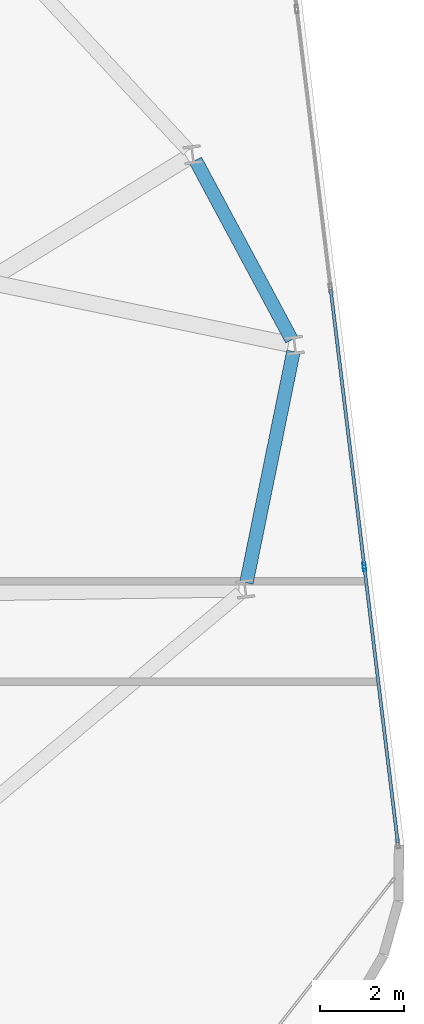
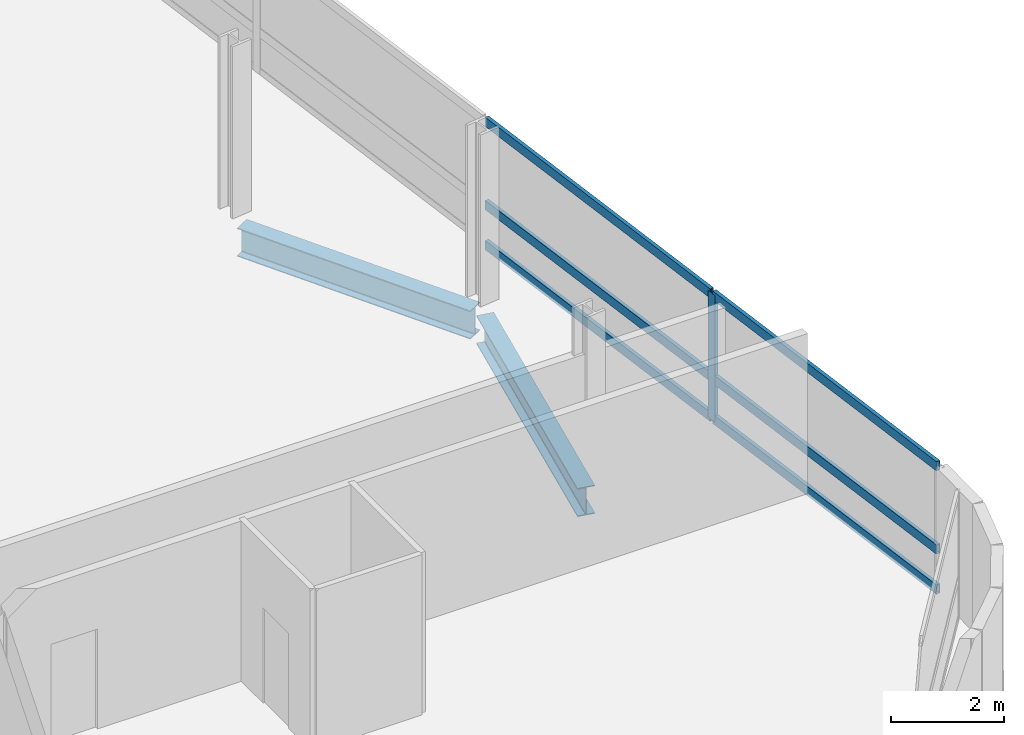
# One storey, part 11 of 24: 7 members, 2 beams, 1 element without a shape of its own.
"""IFC4 building model written with IfcOpenShell, lengths in metres."""

from ifc_helpers import new_model, si_unit, direction, frame, origin, origin_2d, place, context, subcontext, project, spatial, hollow_rectangle, i_section, extrude, material, layer, layer_set, material_profile, profile_set, type_object, element, aggregate, save


model = new_model("IFC4")

# Units and contexts
model_context = context("Model", 3, precision=1e-05, world=origin(), true_north=direction((0.0, 1.0)))
body_context = subcontext(model_context, "Body", "Model", "MODEL_VIEW")
ifc_project = project(units=[si_unit("LENGTHUNIT", "METRE"), si_unit("AREAUNIT", "SQUARE_METRE"), si_unit("VOLUMEUNIT", "CUBIC_METRE"), si_unit("PLANEANGLEUNIT", "RADIAN"), si_unit("MASSUNIT", "GRAM", prefix="KILO")], contexts=[model_context])

# Site, building, storey
site_placement = place(None, origin())
site = spatial("IfcSite", under=ifc_project, at=site_placement, CompositionType="ELEMENT")
building_placement = place(site_placement, origin())
building = spatial("IfcBuilding", under=site, at=building_placement, Name="Varnelok Gate Tower", CompositionType="ELEMENT")
storey_placement = place(building_placement, frame((0.0, 0.0, 167.199951171875)))
storey = spatial("IfcBuildingStorey", under=building, at=storey_placement, Name="L42", CompositionType="ELEMENT", Elevation=167.199951171875)

# Beams
ifc_material_1 = material(Name="Structural Steel ASTM A992 Grade 50", Category="steel")
ifc_material_profile_1 = material_profile(ifc_material_1, i_section(OverallWidth=0.323974609375, OverallDepth=0.611083984375, WebThickness=0.0126953125, FlangeThickness=0.01904296875, FilletRadius=0.01806640625, at=origin_2d()), Name="W24X104")
ifc_profile_set_1 = profile_set([ifc_material_profile_1], Name="Structural Steel ASTM A992 Grade 50")
beam_type = type_object("IfcBeamType", Name="BM-SPN-W24X104", PredefinedType="SPANDREL", material=ifc_profile_set_1)
beam_1_placement = place(storey_placement, frame((72.5068359375, 19.206298828125, -0.555419921875), z_axis=(0.19911018886, 0.979977108249, 0.0), x_axis=(-0.979977108249, 0.19911018886, 0.0)))
element("IfcBeam", 1, at=beam_1_placement, inside=storey, type_object=beam_type, Name="L42 Perimeter Spandrel Beam 6", PredefinedType="SPANDREL", context=body_context, shape_type="SweptSolid", body=[
    extrude(i_section(OverallWidth=0.323974609375, OverallDepth=0.611083984375, WebThickness=0.0126953125, FlangeThickness=0.01904296875, FilletRadius=0.01806640625, at=origin_2d()), origin(), (0.0, 0.0, 1.0), 5.612060546875),
])
beam_2_placement = place(storey_placement, frame((73.583251953125, 24.9853515625, -0.555419921875), z_axis=(-0.472471917257, 0.881345725242, 0.0), x_axis=(-0.881345725242, -0.472471917257, 0.0)))
element("IfcBeam", 2, at=beam_2_placement, inside=storey, type_object=beam_type, Name="L42 Perimeter Spandrel Beam 7", PredefinedType="SPANDREL", context=body_context, shape_type="SweptSolid", body=[
    extrude(i_section(OverallWidth=0.323974609375, OverallDepth=0.611083984375, WebThickness=0.0126953125, FlangeThickness=0.01904296875, FilletRadius=0.01806640625, at=origin_2d()), origin(), (0.0, 0.0, 1.0), 4.8408203125),
])

# Curtain wall, members
ifc_material_2 = material(Name="Anodized Aluminum Alloy 6063-T6", Category="aluminium")
ifc_layer = layer(ifc_material_2, 0.179931640625)
ifc_layer_set = layer_set([ifc_layer], Name="Anodized Aluminum Alloy 6063-T6")
curtain_wall_type = type_object("IfcCurtainWallType", Name="CW4-RESIDENCE-VISION", PredefinedType="USERDEFINED", material=ifc_layer_set)
curtain_wall_placement = place(storey_placement, origin())
curtain_wall = element("IfcCurtainWall", 3, at=curtain_wall_placement, inside=storey, type_object=curtain_wall_type, Name="L42 East End Vision Curtain Wall", ObjectType="UNITISED CURTAIN WALL", PredefinedType="USERDEFINED")
ifc_material_profile_2 = material_profile(ifc_material_2, hollow_rectangle(XDim=0.074951171875, YDim=0.199951171875, WallThickness=0.00390625, at=origin_2d()), Name="ALU200X75X4")
ifc_profile_set_2 = profile_set([ifc_material_profile_2], Name="Anodized Aluminum Alloy 6063-T6")
member_type_1 = type_object("IfcMemberType", Name="CW-MULL-200", PredefinedType="MULLION", material=ifc_profile_set_2)
member_1_placement = place(storey_placement, frame((75.310302734375, 19.584228515625, 0.0), z_axis=(0.0, 0.0, 1.0), x_axis=(0.992732188751, 0.120344511371, 0.0)))
member_1 = element("IfcMember", 4, at=member_1_placement, type_object=member_type_1, Name="CW4 mullion 5", PredefinedType="MULLION", context=body_context, shape_type="SweptSolid", body=[
    extrude(hollow_rectangle(XDim=0.074951171875, YDim=0.199951171875, WallThickness=0.00390625, at=origin_2d()), origin(), (0.0, 0.0, 1.0), 2.72998046875),
])
ifc_material_profile_3 = material_profile(ifc_material_2, hollow_rectangle(XDim=0.074951171875, YDim=0.199951171875, WallThickness=0.00390625, at=origin_2d()), Name="ALU200X75X4")
ifc_profile_set_3 = profile_set([ifc_material_profile_3], Name="Anodized Aluminum Alloy 6063-T6")
member_type_2 = type_object("IfcMemberType", Name="CW-TRAN-200", PredefinedType="USERDEFINED", material=ifc_profile_set_3)
member_2_placement = place(storey_placement, frame((74.510986328125, 26.178466796875, 0.03759765625), z_axis=(0.120349029092, -0.992731641078, 0.0), x_axis=(0.992731641078, 0.120349029092, 0.0)))
member_2 = element("IfcMember", 5, at=member_2_placement, type_object=member_type_2, Name="CW4 transom 4.1", ObjectType="TRANSOM", PredefinedType="USERDEFINED", context=body_context, shape_type="SweptSolid", body=[
    extrude(hollow_rectangle(XDim=0.074951171875, YDim=0.199951171875, WallThickness=0.00390625, at=origin_2d()), origin(), (0.0, 0.0, 1.0), 6.605224609375),
])
member_3_placement = place(storey_placement, frame((74.510986328125, 26.178466796875, 0.900146484375), z_axis=(0.120349029092, -0.992731641078, 0.0), x_axis=(0.992731641078, 0.120349029092, 0.0)))
member_3 = element("IfcMember", 6, at=member_3_placement, type_object=member_type_2, Name="CW4 transom 4.2", ObjectType="TRANSOM", PredefinedType="USERDEFINED", context=body_context, shape_type="SweptSolid", body=[
    extrude(hollow_rectangle(XDim=0.074951171875, YDim=0.199951171875, WallThickness=0.00390625, at=origin_2d()), origin(), (0.0, 0.0, 1.0), 6.605224609375),
])
member_4_placement = place(storey_placement, frame((74.510986328125, 26.178466796875, 2.692626953125), z_axis=(0.120349029092, -0.992731641078, 0.0), x_axis=(0.992731641078, 0.120349029092, 0.0)))
member_4 = element("IfcMember", 7, at=member_4_placement, type_object=member_type_2, Name="CW4 transom 4.3", ObjectType="TRANSOM", PredefinedType="USERDEFINED", context=body_context, shape_type="SweptSolid", body=[
    extrude(hollow_rectangle(XDim=0.074951171875, YDim=0.199951171875, WallThickness=0.00390625, at=origin_2d()), origin(), (0.0, 0.0, 1.0), 6.605224609375),
])
member_5_placement = place(storey_placement, frame((75.314697265625, 19.546875, 0.03759765625), z_axis=(0.120369113246, -0.992729206066, 0.0), x_axis=(0.992729206066, 0.120369113246, 0.0)))
member_5 = element("IfcMember", 8, at=member_5_placement, type_object=member_type_2, Name="CW4 transom 5.1", ObjectType="TRANSOM", PredefinedType="USERDEFINED", context=body_context, shape_type="SweptSolid", body=[
    extrude(hollow_rectangle(XDim=0.074951171875, YDim=0.199951171875, WallThickness=0.00390625, at=origin_2d()), origin(), (0.0, 0.0, 1.0), 6.567626953125),
])
member_6_placement = place(storey_placement, frame((75.314697265625, 19.546875, 0.900146484375), z_axis=(0.120369113246, -0.992729206066, 0.0), x_axis=(0.992729206066, 0.120369113246, 0.0)))
member_6 = element("IfcMember", 9, at=member_6_placement, type_object=member_type_2, Name="CW4 transom 5.2", ObjectType="TRANSOM", PredefinedType="USERDEFINED", context=body_context, shape_type="SweptSolid", body=[
    extrude(hollow_rectangle(XDim=0.074951171875, YDim=0.199951171875, WallThickness=0.00390625, at=origin_2d()), origin(), (0.0, 0.0, 1.0), 6.567626953125),
])
member_7_placement = place(storey_placement, frame((75.314697265625, 19.546875, 2.692626953125), z_axis=(0.120369113246, -0.992729206066, 0.0), x_axis=(0.992729206066, 0.120369113246, 0.0)))
member_7 = element("IfcMember", 10, at=member_7_placement, type_object=member_type_2, Name="CW4 transom 5.3", ObjectType="TRANSOM", PredefinedType="USERDEFINED", context=body_context, shape_type="SweptSolid", body=[
    extrude(hollow_rectangle(XDim=0.074951171875, YDim=0.199951171875, WallThickness=0.00390625, at=origin_2d()), origin(), (0.0, 0.0, 1.0), 6.567626953125),
])
aggregate(curtain_wall, [member_1, member_2, member_3, member_4, member_5, member_6, member_7])

save(model, "model.ifc")
